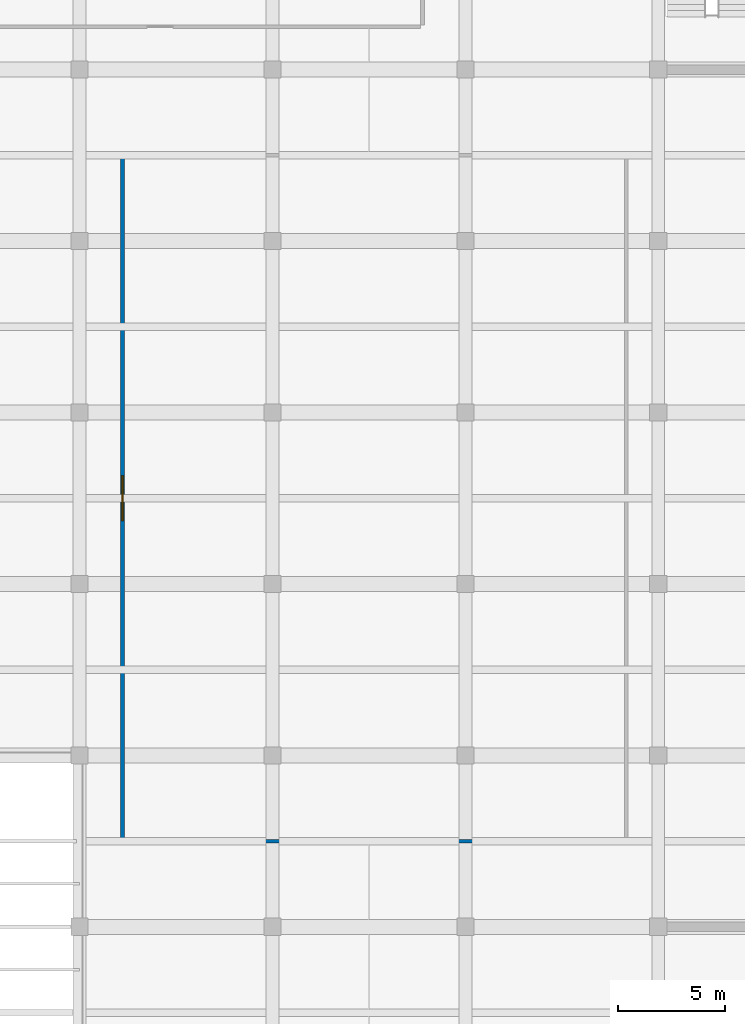
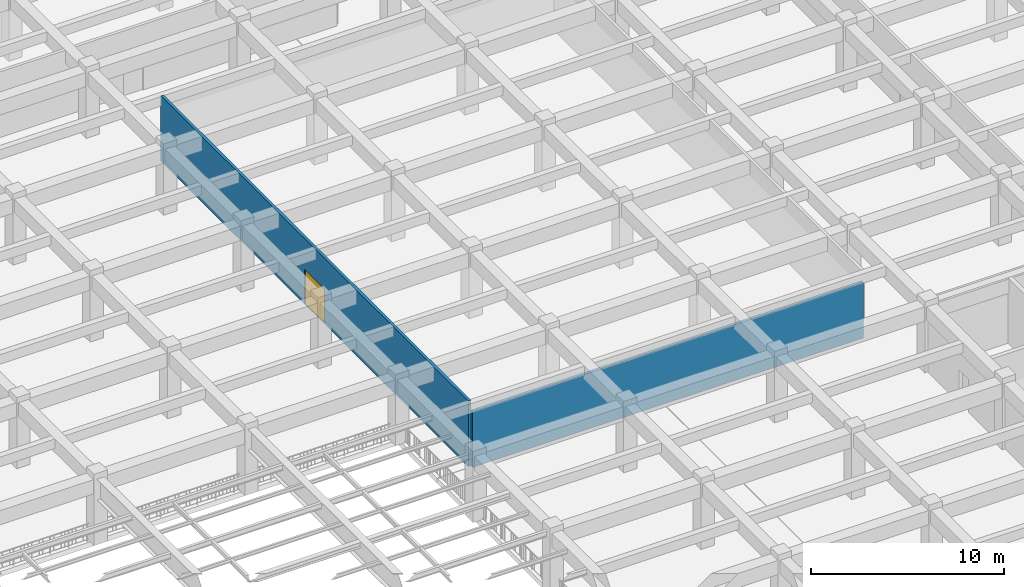
# One storey, part 28 of 50: 2 walls, 1 door, 1 opening.
"""IFC4 building model written with IfcOpenShell, lengths in metres."""

from ifc_helpers import new_model, si_unit, direction, frame, frame_2d, origin, place, context, subcontext, project, spatial, rectangle, extrude, material, layer, layer_set, type_object, element, fill, save


model = new_model("IFC4")

# Units and contexts
model_context = context("Model", 3, precision=1e-05, world=origin(), true_north=direction((0.0, 1.0)))
body_context = subcontext(model_context, "Body", "Model", "MODEL_VIEW")
ifc_project = project(units=[si_unit("LENGTHUNIT", "METRE"), si_unit("AREAUNIT", "SQUARE_METRE"), si_unit("VOLUMEUNIT", "CUBIC_METRE"), si_unit("PLANEANGLEUNIT", "RADIAN"), si_unit("MASSUNIT", "GRAM", prefix="KILO")], contexts=[model_context])

# Site, building, storey
site_placement = place(None, origin())
site = spatial("IfcSite", under=ifc_project, at=site_placement, CompositionType="ELEMENT")
building_placement = place(site_placement, origin())
building = spatial("IfcBuilding", under=site, at=building_placement, Name="Zaverband Oceanarium and Marine Research Institute", CompositionType="ELEMENT")
storey_placement = place(building_placement, frame((0.0, 0.0, 9.0)))
storey = spatial("IfcBuildingStorey", under=building, at=storey_placement, Name="L02", CompositionType="ELEMENT", Elevation=9.0)

# Wall
ifc_material_1 = material(Name="Corridor rated drywall partition")
ifc_layer = layer(ifc_material_1, 0.1650390625, Name="Corridor rated drywall partition")
ifc_layer_set = layer_set([ifc_layer], Name="Corridor rated drywall partition")
wall_type = type_object("IfcWallType", Name="PT-165-CR", PredefinedType="PARTITIONING", material=ifc_layer_set)
wall_1_placement = place(storey_placement, frame((110.08251953125, 44.0, 0.0), z_axis=(0.0, 0.0, 1.0), x_axis=(1.0, 0.0, 0.0)))
element("IfcWall", 1, at=wall_1_placement, inside=storey, type_object=wall_type, Name="Internal partition PT-165-CR", PredefinedType="PARTITIONING", context=body_context, shape_type="SweptSolid", body=[
    extrude(rectangle(XDim=23.3349609375, YDim=0.1650390625, at=frame_2d((11.66748046875, 0.0))), origin(), (0.0, 0.0, 1.0), 3.5400390625),
])

# Wall, opening, door
wall_2_placement = place(storey_placement, frame((110.0, 44.08251953125, 0.0), z_axis=(0.0, 0.0, 1.0), x_axis=(0.0, 1.0, 0.0)))
wall_2 = element("IfcWall", 2, at=wall_2_placement, inside=storey, type_object=wall_type, Name="Internal partition PT-165-CR", PredefinedType="PARTITIONING", context=body_context, shape_type="SweptSolid", body=[
    extrude(rectangle(XDim=31.8349609375, YDim=0.1650390625, at=frame_2d((15.91748046875, 0.0))), origin(), (0.0, 0.0, 1.0), 4.139892578125),
])
opening_placement = place(wall_2_placement, frame((14.867431640625, 0.0, 0.0)))
opening = element("IfcOpeningElement", 3, at=opening_placement, cuts=wall_2, Name="Opening ID-2100x2200", PredefinedType="OPENING", context=body_context, shape_type="SweptSolid", body=[
    extrude(rectangle(XDim=2.10009765625, YDim=2.199951171875, at=frame_2d((1.050048828125, 1.10009765625))), frame((0.0, 0.094482421875, 0.0), z_axis=(0.0, -1.0, 0.0), x_axis=(1.0, 0.0, 0.0)), (0.0, 0.0, 1.0), 0.18896484375),
])
ifc_material_2 = material(Name="Hardwood-veneered acoustic timber", Category="wood")
door_type = type_object("IfcDoorType", Name="ID-2100x2200", OperationType="DOUBLE_DOOR_SINGLE_SWING", PredefinedType="DOOR", material=ifc_material_2)
door_placement = place(opening_placement, origin())
door = element("IfcDoor", 4, at=door_placement, inside=storey, type_object=door_type, Name="Concourse double public door ID-2100x2200", OperationType="DOUBLE_DOOR_SINGLE_SWING", OverallHeight=2.199951171875, OverallWidth=2.10009765625, PredefinedType="DOOR", context=body_context, shape_type="SweptSolid", body=[
    extrude(rectangle(XDim=2.10009765625, YDim=2.199951171875, at=frame_2d((1.050048828125, 1.10009765625))), frame((0.0, 0.02490234375, 0.0), z_axis=(0.0, -1.0, 0.0), x_axis=(1.0, 0.0, 0.0)), (0.0, 0.0, 1.0), 0.050048828125),
])
fill(opening, door)

save(model, "model.ifc")
